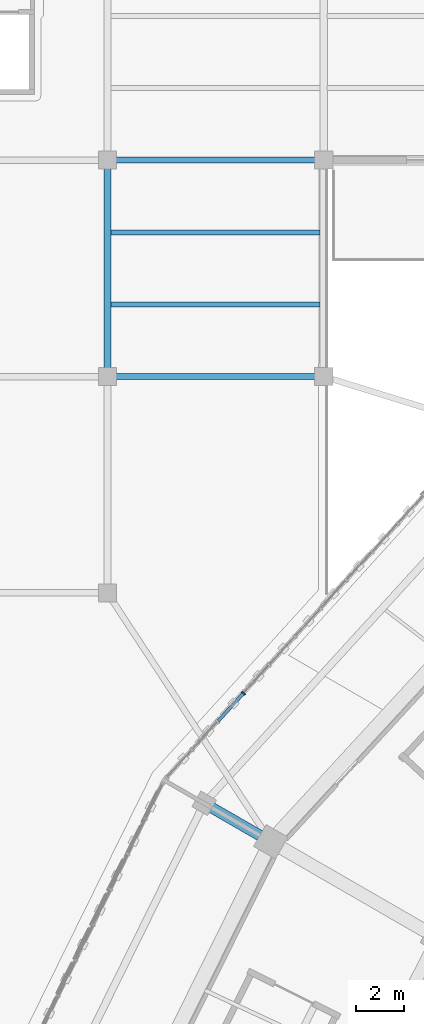
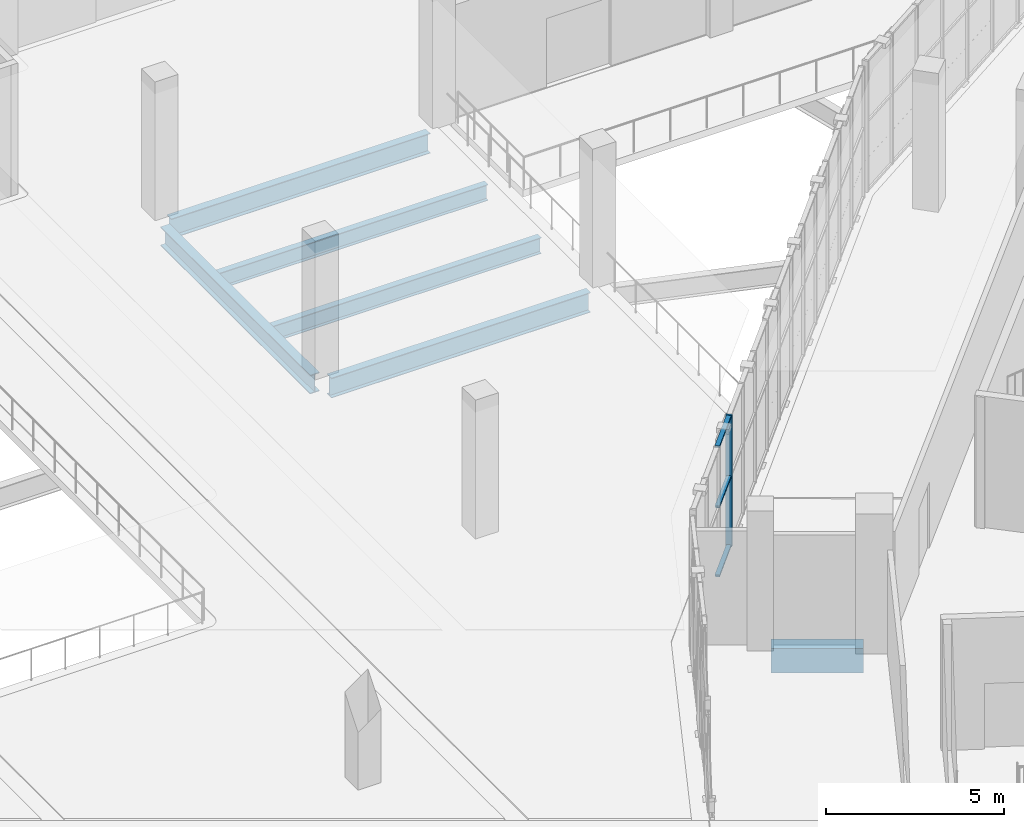
# One storey, part 48 of 179: 6 beams, 4 members, 1 element without a shape of its own.
"""IFC4 building model written with IfcOpenShell, lengths in metres."""

from ifc_helpers import new_model, si_unit, direction, frame, origin, origin_2d, place, context, subcontext, project, spatial, rectangle, i_section, extrude, material, material_profile, profile_set, type_object, element, aggregate, save


model = new_model("IFC4")

# Units and contexts
model_context = context("Model", 3, precision=1e-05, world=origin(), true_north=direction((0.0, 1.0)))
body_context = subcontext(model_context, "Body", "Model", "MODEL_VIEW")
ifc_project = project(units=[si_unit("LENGTHUNIT", "METRE"), si_unit("AREAUNIT", "SQUARE_METRE"), si_unit("VOLUMEUNIT", "CUBIC_METRE"), si_unit("PLANEANGLEUNIT", "RADIAN"), si_unit("MASSUNIT", "GRAM", prefix="KILO")], contexts=[model_context])

# Site, building, storey
site_placement = place(None, origin())
site = spatial("IfcSite", under=ifc_project, at=site_placement, CompositionType="ELEMENT")
building_placement = place(site_placement, origin())
building = spatial("IfcBuilding", under=site, at=building_placement, Name="Zevraka Park Crest Stadium", CompositionType="ELEMENT")
storey_placement = place(building_placement, frame((0.0, 0.0, 10.199951171875)))
storey = spatial("IfcBuildingStorey", under=building, at=storey_placement, Name="L02", CompositionType="ELEMENT", Elevation=10.199951171875)

# Beams
ifc_material_1 = material(Name="Concrete C40/50", Category="concrete")
ifc_material_profile_1 = material_profile(ifc_material_1, rectangle(XDim=0.449951171875, YDim=0.85009765625, at=origin_2d()), Name="RC 850x450")
ifc_profile_set_1 = profile_set([ifc_material_profile_1], Name="Concrete C40/50")
beam_type_1 = type_object("IfcBeamType", Name="BG03", PredefinedType="BEAM", material=ifc_profile_set_1)
beam_1_placement = place(storey_placement, frame((33.5380859375, 129.800048828125, -0.43505859375), z_axis=(-0.865950948929, 0.500128937424, 0.0), x_axis=(-0.500128937424, -0.865950948929, 0.0)))
element("IfcBeam", 1, at=beam_1_placement, inside=storey, type_object=beam_type_1, Name="Radial Girder BG03 L02-DE-10", PredefinedType="BEAM", context=body_context, shape_type="SweptSolid", body=[
    extrude(rectangle(XDim=0.449951171875, YDim=0.85009765625, at=origin_2d()), origin(), (0.0, 0.0, 1.0), 2.599365234375),
])
ifc_material_2 = material(Name="Steel S355", Category="steel")
ifc_material_profile_2 = material_profile(ifc_material_2, i_section(OverallWidth=0.253662109375, OverallDepth=0.68359375, WebThickness=0.012451171875, FlangeThickness=0.01904296875, at=origin_2d()), Name="UKB 686x254x140")
ifc_profile_set_2 = profile_set([ifc_material_profile_2], Name="Steel S355")
beam_type_2 = type_object("IfcBeamType", Name="BG05", PredefinedType="BEAM", material=ifc_profile_set_2)
for number, where, z_axis, x_axis, name in (
    (2, (27.300048828125, 149.0, -0.629638671875), (1.0, 0.0, 0.0), (0.0, 1.0, 0.0), "Wing Girder BG05 L02-45/S"),
    (3, (27.300048828125, 158.0, -0.629638671875), (1.0, 0.0, 0.0), (0.0, 1.0, 0.0), "Wing Girder BG05 L02-45/T"),
):
    element("IfcBeam", number, at=place(storey_placement, frame(where, z_axis=z_axis, x_axis=x_axis)), inside=storey, type_object=beam_type_2, Name=name, PredefinedType="BEAM", context=body_context, shape_type="SweptSolid", body=[
        extrude(i_section(OverallWidth=0.253662109375, OverallDepth=0.68359375, WebThickness=0.012451171875, FlangeThickness=0.01904296875, at=origin_2d()), origin(), (0.0, 0.0, 1.0), 8.39990234375),
    ])
ifc_material_3 = material(Name="Steel S355", Category="steel")
ifc_material_profile_3 = material_profile(ifc_material_3, i_section(OverallWidth=0.300048828125, OverallDepth=0.64990234375, WebThickness=0.01611328125, FlangeThickness=0.031005859375, at=origin_2d()), Name="HEB 650")
ifc_profile_set_3 = profile_set([ifc_material_profile_3], Name="Steel S355")
beam_type_3 = type_object("IfcBeamType", Name="BG07", PredefinedType="BEAM", material=ifc_profile_set_3)
beam_2_placement = place(storey_placement, frame((27.0, 149.300048828125, -0.613037109375), z_axis=(0.0, 1.0, 0.0), x_axis=(-1.0, 0.0, 0.0)))
element("IfcBeam", 4, at=beam_2_placement, inside=storey, type_object=beam_type_3, Name="Wing Girder BG07 L02-4/ST", PredefinedType="BEAM", context=body_context, shape_type="SweptSolid", body=[
    extrude(i_section(OverallWidth=0.300048828125, OverallDepth=0.64990234375, WebThickness=0.01611328125, FlangeThickness=0.031005859375, at=origin_2d()), origin(), (0.0, 0.0, 1.0), 8.39990234375),
])

# Curtain wall, members
ifc_material_4 = material(Name="Anodised architectural aluminium and laminated safety glass", Category="aluminium")
curtain_wall_type = type_object("IfcCurtainWallType", Name="CW08", PredefinedType="NOTDEFINED", material=ifc_material_4)
curtain_wall_placement = place(storey_placement, origin())
curtain_wall = element("IfcCurtainWall", 5, at=curtain_wall_placement, inside=storey, type_object=curtain_wall_type, Name="Unitised Ring Curtain Wall CW08 L02-09", PredefinedType="NOTDEFINED")
ifc_material_5 = material(Name="Anodised architectural aluminium", Category="aluminium")
ifc_material_profile_4 = material_profile(ifc_material_5, rectangle(XDim=0.179931640625, YDim=0.06494140625, at=origin_2d()), Name="ALU MULLION 180x65")
ifc_profile_set_4 = profile_set([ifc_material_profile_4], Name="Anodised architectural aluminium")
member_type_1 = type_object("IfcMemberType", Name="CM02", PredefinedType="MULLION", material=ifc_profile_set_4)
member_1_placement = place(storey_placement, frame((32.65966796875, 135.828125, 0.0), z_axis=(0.0, 0.0, 1.0), x_axis=(0.739496877097, -0.673159987494, 0.0)))
member_1 = element("IfcMember", 6, at=member_1_placement, type_object=member_type_1, Name="CW08 mullion 12", PredefinedType="MULLION", context=body_context, shape_type="SweptSolid", body=[
    extrude(rectangle(XDim=0.179931640625, YDim=0.06494140625, at=origin_2d()), origin(), (0.0, 0.0, 1.0), 4.5),
])
ifc_material_6 = material(Name="Anodised architectural aluminium", Category="aluminium")
ifc_material_profile_5 = material_profile(ifc_material_6, rectangle(XDim=0.139892578125, YDim=0.06494140625, at=origin_2d()), Name="ALU TRANSOM 140x65")
ifc_profile_set_5 = profile_set([ifc_material_profile_5], Name="Anodised architectural aluminium")
member_type_2 = type_object("IfcMemberType", Name="CT02", PredefinedType="USERDEFINED", material=ifc_profile_set_5)
member_2_placement = place(storey_placement, frame((32.637939453125, 135.80419921875, 0.032470703125), z_axis=(-0.673198421242, -0.739461889239, 0.0), x_axis=(0.739461889239, -0.673198421242, 0.0)))
member_2 = element("IfcMember", 7, at=member_2_placement, type_object=member_type_2, Name="CW08 transom 12.1", ObjectType="TRANSOM", PredefinedType="USERDEFINED", context=body_context, shape_type="SweptSolid", body=[
    extrude(rectangle(XDim=0.139892578125, YDim=0.06494140625, at=origin_2d()), origin(), (0.0, 0.0, 1.0), 1.525390625),
])
member_3_placement = place(storey_placement, frame((32.637939453125, 135.80419921875, 2.400146484375), z_axis=(-0.673198421242, -0.739461889239, 0.0), x_axis=(0.739461889239, -0.673198421242, 0.0)))
member_3 = element("IfcMember", 8, at=member_3_placement, type_object=member_type_2, Name="CW08 transom 12.2", ObjectType="TRANSOM", PredefinedType="USERDEFINED", context=body_context, shape_type="SweptSolid", body=[
    extrude(rectangle(XDim=0.139892578125, YDim=0.06494140625, at=origin_2d()), origin(), (0.0, 0.0, 1.0), 1.525390625),
])
member_4_placement = place(storey_placement, frame((32.637939453125, 135.80419921875, 4.467529296875), z_axis=(-0.673198421242, -0.739461889239, 0.0), x_axis=(0.739461889239, -0.673198421242, 0.0)))
member_4 = element("IfcMember", 9, at=member_4_placement, type_object=member_type_2, Name="CW08 transom 12.3", ObjectType="TRANSOM", PredefinedType="USERDEFINED", context=body_context, shape_type="SweptSolid", body=[
    extrude(rectangle(XDim=0.139892578125, YDim=0.06494140625, at=origin_2d()), origin(), (0.0, 0.0, 1.0), 1.525390625),
])
aggregate(curtain_wall, [member_1, member_2, member_3, member_4])

# Beams
ifc_material_7 = material(Name="Steel S355", Category="steel")
ifc_material_profile_6 = material_profile(ifc_material_7, i_section(OverallWidth=0.2099609375, OverallDepth=0.550048828125, WebThickness=0.010986328125, FlangeThickness=0.01708984375, at=origin_2d()), Name="IPE 550")
ifc_profile_set_6 = profile_set([ifc_material_profile_6], Name="Steel S355")
beam_type_4 = type_object("IfcBeamType", Name="SJ04", PredefinedType="JOIST", material=ifc_profile_set_6)
for number, where, z_axis, x_axis, name in (
    (10, (27.14501953125, 152.0, -0.56494140625), (1.0, 0.0, 0.0), (0.0, 1.0, 0.0), "Wing Joist SJ04 L02-4/S-1"),
    (11, (27.14501953125, 155.0, -0.56494140625), (1.0, 0.0, 0.0), (0.0, 1.0, 0.0), "Wing Joist SJ04 L02-4/S-2"),
):
    element("IfcBeam", number, at=place(storey_placement, frame(where, z_axis=z_axis, x_axis=x_axis)), inside=storey, type_object=beam_type_4, Name=name, PredefinedType="JOIST", context=body_context, shape_type="SweptSolid", body=[
        extrude(i_section(OverallWidth=0.2099609375, OverallDepth=0.550048828125, WebThickness=0.010986328125, FlangeThickness=0.01708984375, at=origin_2d()), origin(), (0.0, 0.0, 1.0), 8.7099609375),
    ])

save(model, "model.ifc")
